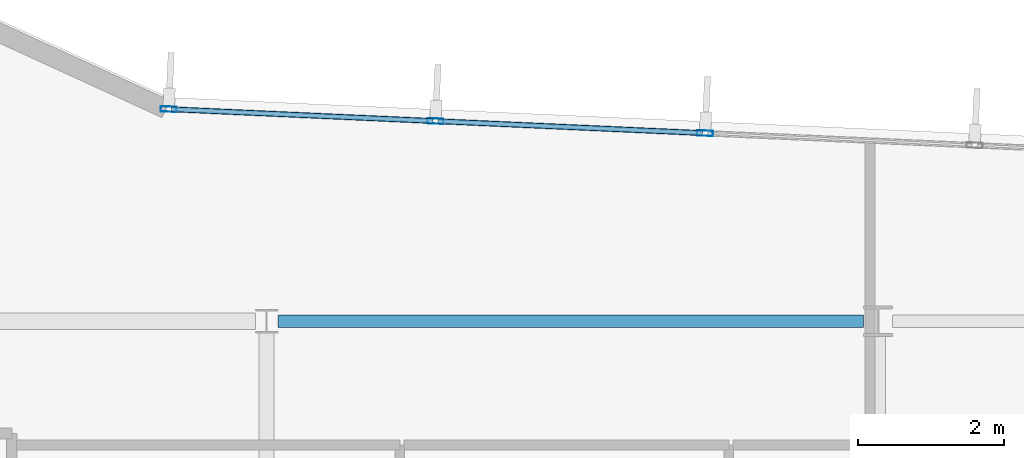
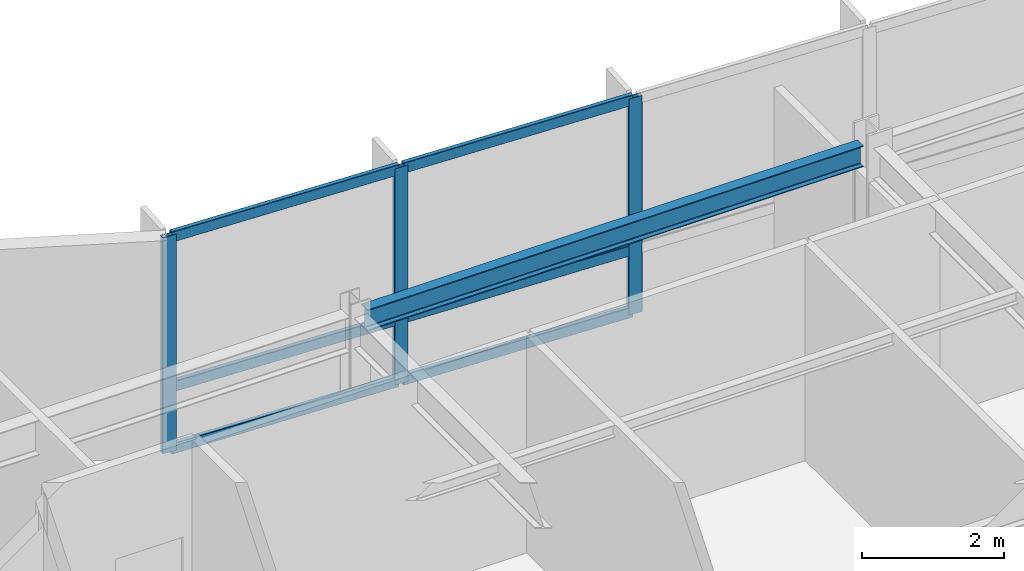
# One storey, part 4 of 17: 9 members, 1 beam, 1 element without a shape of its own.
"""IFC4 building model written with IfcOpenShell, lengths in metres."""

from ifc_helpers import new_model, si_unit, direction, frame, origin, origin_2d, place, context, subcontext, project, spatial, hollow_rectangle, i_section, extrude, material, layer, layer_set, material_profile, profile_set, type_object, element, aggregate, save


model = new_model("IFC4")

# Units and contexts
model_context = context("Model", 3, precision=1e-05, world=origin(), true_north=direction((0.0, 1.0)))
body_context = subcontext(model_context, "Body", "Model", "MODEL_VIEW")
ifc_project = project(units=[si_unit("LENGTHUNIT", "METRE"), si_unit("AREAUNIT", "SQUARE_METRE"), si_unit("VOLUMEUNIT", "CUBIC_METRE"), si_unit("PLANEANGLEUNIT", "RADIAN"), si_unit("MASSUNIT", "GRAM", prefix="KILO")], contexts=[model_context])

# Site, building, storey
site_placement = place(None, origin())
site = spatial("IfcSite", under=ifc_project, at=site_placement, CompositionType="ELEMENT")
building_placement = place(site_placement, origin())
building = spatial("IfcBuilding", under=site, at=building_placement, Name="Varnakote Quay Hospital", CompositionType="ELEMENT")
storey_placement = place(building_placement, frame((0.0, 0.0, 134.949951171875)))
storey = spatial("IfcBuildingStorey", under=building, at=storey_placement, Name="L33", CompositionType="ELEMENT", Elevation=134.949951171875)

# Curtain wall, members
ifc_material_1 = material(Name="Anodised aluminium 6063-T6 Bronze", Category="aluminium")
ifc_layer = layer(ifc_material_1, 0.205078125)
ifc_layer_set = layer_set([ifc_layer], Name="Anodised aluminium 6063-T6 Bronze")
curtain_wall_type = type_object("IfcCurtainWallType", Name="CW-SYS-3", PredefinedType="NOTDEFINED", material=ifc_layer_set)
curtain_wall_placement = place(storey_placement, origin())
curtain_wall = element("IfcCurtainWall", 1, at=curtain_wall_placement, inside=storey, type_object=curtain_wall_type, Name="L33 Unitised Bronze Curtain Wall 2", PredefinedType="NOTDEFINED")
ifc_material_2 = material(Name="Anodised aluminium 6063-T6 Bronze", Category="aluminium")
ifc_material_profile_1 = material_profile(ifc_material_2, hollow_rectangle(XDim=0.074951171875, YDim=0.219970703125, WallThickness=0.00439453125, InnerFilletRadius=0.00439453125, OuterFilletRadius=0.009033203125, at=origin_2d()), Name="CW-MULL-220x75")
ifc_profile_set_1 = profile_set([ifc_material_profile_1], Name="Anodised aluminium 6063-T6 Bronze")
member_type_1 = type_object("IfcMemberType", Name="CW-MULL-220x75", PredefinedType="MULLION", material=ifc_profile_set_1)
member_1_placement = place(storey_placement, frame((31.223876953125, 31.383544921875, 0.0), z_axis=(0.0, 0.0, 1.0), x_axis=(-0.044782334659, -0.998996768014, 0.0)))
member_1 = element("IfcMember", 2, at=member_1_placement, type_object=member_type_1, Name="-3-L33-2 mullion 3", PredefinedType="MULLION", context=body_context, shape_type="SweptSolid", body=[
    extrude(hollow_rectangle(XDim=0.074951171875, YDim=0.219970703125, WallThickness=0.00439453125, InnerFilletRadius=0.00439453125, OuterFilletRadius=0.009033203125, at=origin_2d()), origin(), (0.0, 0.0, 1.0), 3.7099609375),
])
member_2_placement = place(storey_placement, frame((27.520751953125, 31.549560546875, 0.0), z_axis=(0.0, 0.0, 1.0), x_axis=(-0.044782334659, -0.998996768014, 0.0)))
member_2 = element("IfcMember", 3, at=member_2_placement, type_object=member_type_1, Name="-3-L33-2 mullion 4", PredefinedType="MULLION", context=body_context, shape_type="SweptSolid", body=[
    extrude(hollow_rectangle(XDim=0.074951171875, YDim=0.219970703125, WallThickness=0.00439453125, InnerFilletRadius=0.00439453125, OuterFilletRadius=0.009033203125, at=origin_2d()), origin(), (0.0, 0.0, 1.0), 3.7099609375),
])
member_3_placement = place(storey_placement, frame((23.855224609375, 31.7138671875, 0.0), z_axis=(0.0, 0.0, 1.0), x_axis=(-0.044782334659, -0.998996768014, 0.0)))
member_3 = element("IfcMember", 4, at=member_3_placement, type_object=member_type_1, Name="-3-L33-2 mullion 5", PredefinedType="MULLION", context=body_context, shape_type="SweptSolid", body=[
    extrude(hollow_rectangle(XDim=0.074951171875, YDim=0.219970703125, WallThickness=0.00439453125, InnerFilletRadius=0.00439453125, OuterFilletRadius=0.009033203125, at=origin_2d()), origin(), (0.0, 0.0, 1.0), 3.7099609375),
])
ifc_material_3 = material(Name="Anodised aluminium 6063-T6 Bronze", Category="aluminium")
ifc_material_profile_2 = material_profile(ifc_material_3, hollow_rectangle(XDim=0.074951171875, YDim=0.179931640625, WallThickness=0.004150390625, InnerFilletRadius=0.004150390625, OuterFilletRadius=0.00830078125, at=origin_2d()), Name="CW-TRAN-180x75")
ifc_profile_set_2 = profile_set([ifc_material_profile_2], Name="Anodised aluminium 6063-T6 Bronze")
member_type_2 = type_object("IfcMemberType", Name="CW-TRAN-180x75", PredefinedType="USERDEFINED", material=ifc_profile_set_2)
member_4_placement = place(storey_placement, frame((31.1865234375, 31.38525390625, 0.03759765625), z_axis=(-0.99899730508, 0.044770352277, 0.0), x_axis=(-0.044770352277, -0.99899730508, 0.0)))
member_4 = element("IfcMember", 5, at=member_4_placement, type_object=member_type_2, Name="-3-L33-2 transom 3.1", ObjectType="TRANSOM", PredefinedType="USERDEFINED", context=body_context, shape_type="SweptSolid", body=[
    extrude(hollow_rectangle(XDim=0.074951171875, YDim=0.179931640625, WallThickness=0.004150390625, InnerFilletRadius=0.004150390625, OuterFilletRadius=0.00830078125, at=origin_2d()), origin(), (0.0, 0.0, 1.0), 3.6318359375),
])
member_5_placement = place(storey_placement, frame((31.1865234375, 31.38525390625, 1.10009765625), z_axis=(-0.99899730508, 0.044770352277, 0.0), x_axis=(-0.044770352277, -0.99899730508, 0.0)))
member_5 = element("IfcMember", 6, at=member_5_placement, type_object=member_type_2, Name="-3-L33-2 transom 3.2", ObjectType="TRANSOM", PredefinedType="USERDEFINED", context=body_context, shape_type="SweptSolid", body=[
    extrude(hollow_rectangle(XDim=0.074951171875, YDim=0.179931640625, WallThickness=0.004150390625, InnerFilletRadius=0.004150390625, OuterFilletRadius=0.00830078125, at=origin_2d()), origin(), (0.0, 0.0, 1.0), 3.6318359375),
])
member_6_placement = place(storey_placement, frame((31.1865234375, 31.38525390625, 3.672607421875), z_axis=(-0.99899730508, 0.044770352277, 0.0), x_axis=(-0.044770352277, -0.99899730508, 0.0)))
member_6 = element("IfcMember", 7, at=member_6_placement, type_object=member_type_2, Name="-3-L33-2 transom 3.3", ObjectType="TRANSOM", PredefinedType="USERDEFINED", context=body_context, shape_type="SweptSolid", body=[
    extrude(hollow_rectangle(XDim=0.074951171875, YDim=0.179931640625, WallThickness=0.004150390625, InnerFilletRadius=0.004150390625, OuterFilletRadius=0.00830078125, at=origin_2d()), origin(), (0.0, 0.0, 1.0), 3.6318359375),
])
member_7_placement = place(storey_placement, frame((27.4833984375, 31.55126953125, 0.03759765625), z_axis=(-0.998997740237, 0.044760641203, 0.0), x_axis=(-0.044760641203, -0.998997740237, 0.0)))
member_7 = element("IfcMember", 8, at=member_7_placement, type_object=member_type_2, Name="-3-L33-2 transom 4.1", ObjectType="TRANSOM", PredefinedType="USERDEFINED", context=body_context, shape_type="SweptSolid", body=[
    extrude(hollow_rectangle(XDim=0.074951171875, YDim=0.179931640625, WallThickness=0.004150390625, InnerFilletRadius=0.004150390625, OuterFilletRadius=0.00830078125, at=origin_2d()), origin(), (0.0, 0.0, 1.0), 3.594482421875),
])
member_8_placement = place(storey_placement, frame((27.4833984375, 31.55126953125, 1.10009765625), z_axis=(-0.998997740237, 0.044760641203, 0.0), x_axis=(-0.044760641203, -0.998997740237, 0.0)))
member_8 = element("IfcMember", 9, at=member_8_placement, type_object=member_type_2, Name="-3-L33-2 transom 4.2", ObjectType="TRANSOM", PredefinedType="USERDEFINED", context=body_context, shape_type="SweptSolid", body=[
    extrude(hollow_rectangle(XDim=0.074951171875, YDim=0.179931640625, WallThickness=0.004150390625, InnerFilletRadius=0.004150390625, OuterFilletRadius=0.00830078125, at=origin_2d()), origin(), (0.0, 0.0, 1.0), 3.594482421875),
])
member_9_placement = place(storey_placement, frame((27.4833984375, 31.55126953125, 3.672607421875), z_axis=(-0.998997740237, 0.044760641203, 0.0), x_axis=(-0.044760641203, -0.998997740237, 0.0)))
member_9 = element("IfcMember", 10, at=member_9_placement, type_object=member_type_2, Name="-3-L33-2 transom 4.3", ObjectType="TRANSOM", PredefinedType="USERDEFINED", context=body_context, shape_type="SweptSolid", body=[
    extrude(hollow_rectangle(XDim=0.074951171875, YDim=0.179931640625, WallThickness=0.004150390625, InnerFilletRadius=0.004150390625, OuterFilletRadius=0.00830078125, at=origin_2d()), origin(), (0.0, 0.0, 1.0), 3.594482421875),
])
aggregate(curtain_wall, [member_1, member_2, member_3, member_4, member_5, member_6, member_7, member_8, member_9])

# Beam
ifc_material_4 = material(Name="Structural steel AS/NZS 3679.1 Grade 350 L0 (fy 340 MPa)", Category="steel")
ifc_material_profile_3 = material_profile(ifc_material_4, i_section(OverallWidth=0.172119140625, OverallDepth=0.35888671875, WebThickness=0.008056640625, FlangeThickness=0.012939453125, FilletRadius=0.011474609375, at=origin_2d()), Name="360UB56.7")
ifc_profile_set_3 = profile_set([ifc_material_profile_3], Name="Structural steel AS/NZS 3679.1 Grade 350 L0 (fy 340 MPa)")
beam_type = type_object("IfcBeamType", Name="SPN-STL-360UB56-7", PredefinedType="SPANDREL", material=ifc_profile_set_3)
beam_placement = place(storey_placement, frame((25.3544921875, 28.800048828125, 3.530517578125), z_axis=(1.0, 0.0, 0.0), x_axis=(0.0, 1.0, 0.0)))
element("IfcBeam", 11, at=beam_placement, inside=storey, type_object=beam_type, Name="L33 Perimeter Spandrel Beam", PredefinedType="SPANDREL", context=body_context, shape_type="SweptSolid", body=[
    extrude(i_section(OverallWidth=0.172119140625, OverallDepth=0.35888671875, WebThickness=0.008056640625, FlangeThickness=0.012939453125, FilletRadius=0.011474609375, at=origin_2d()), origin(), (0.0, 0.0, 1.0), 8.04541015625),
])

save(model, "model.ifc")
